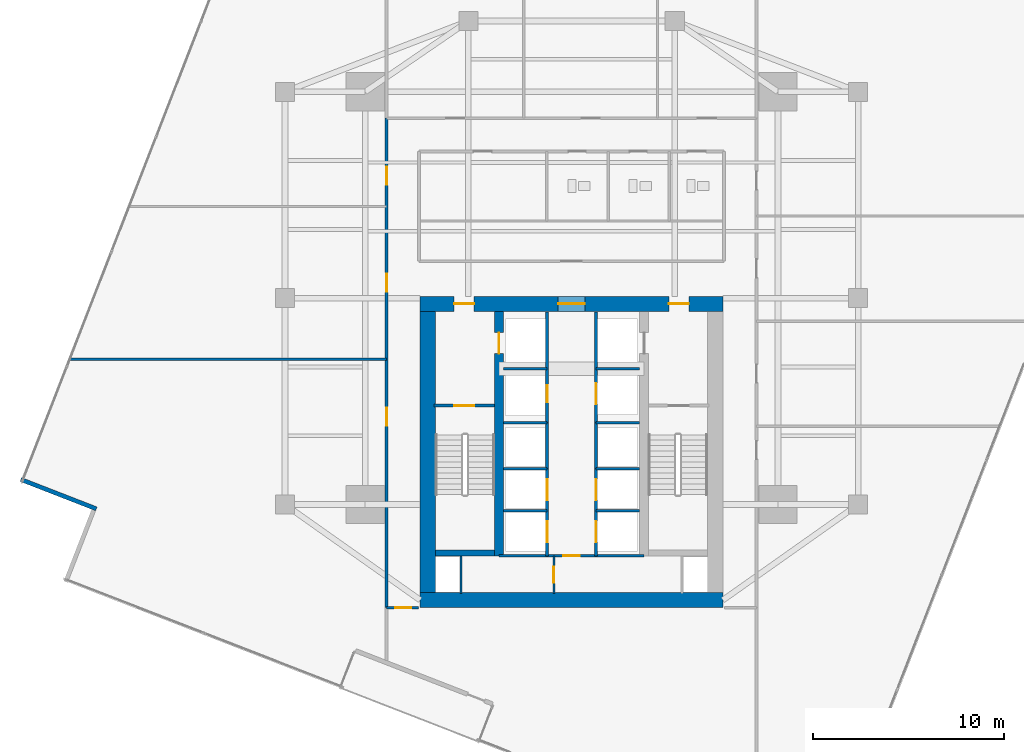
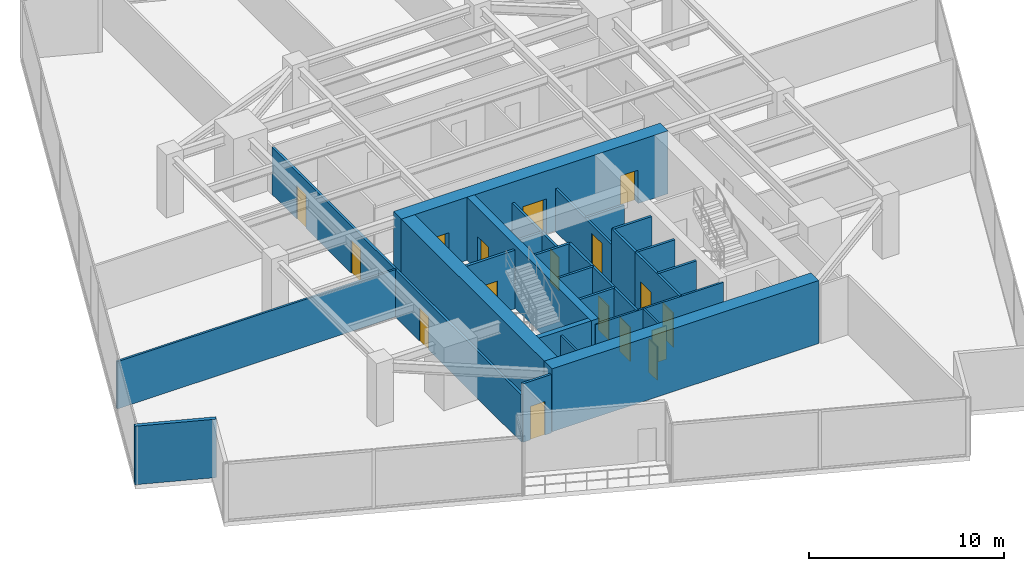
# One storey, part 22 of 26: 27 walls, 17 doors, 17 openings.
"""IFC4 building model written with IfcOpenShell, lengths in metres."""

from ifc_helpers import new_model, si_unit, direction, frame, frame_2d, origin, place, context, subcontext, project, spatial, rectangle, extrude, material, layer, layer_set, type_object, element, fill, save


model = new_model("IFC4")

# Units and contexts
model_context = context("Model", 3, precision=1e-05, world=origin(), true_north=direction((0.0, 1.0)))
body_context = subcontext(model_context, "Body", "Model", "MODEL_VIEW")
ifc_project = project(units=[si_unit("LENGTHUNIT", "METRE"), si_unit("AREAUNIT", "SQUARE_METRE"), si_unit("VOLUMEUNIT", "CUBIC_METRE"), si_unit("PLANEANGLEUNIT", "RADIAN"), si_unit("MASSUNIT", "GRAM", prefix="KILO")], contexts=[model_context])

# Site, building, storey
site_placement = place(None, origin())
site = spatial("IfcSite", under=ifc_project, at=site_placement, CompositionType="ELEMENT")
building_placement = place(site_placement, origin())
building = spatial("IfcBuilding", under=site, at=building_placement, Name="Krantzveldt Concourse Tower", CompositionType="ELEMENT")
storey_placement = place(building_placement, frame((0.0, 0.0, 133.5)))
storey = spatial("IfcBuildingStorey", under=building, at=storey_placement, Name="L32", CompositionType="ELEMENT", Elevation=133.5)

# Wall
ifc_material_1 = material(Name="Anodised aluminium 6063-T6", Category="aluminium")
ifc_layer_1 = layer(ifc_material_1, 0.219970703125, Name="Anodised aluminium 6063-T6", Category="aluminium")
ifc_layer_set_1 = layer_set([ifc_layer_1], Name="Anodised aluminium 6063-T6 (WL-EXT-NOTCH220)")
wall_type_1 = type_object("IfcWallType", Name="WL-EXT-NOTCH220", PredefinedType="ELEMENTEDWALL", material=ifc_layer_set_1)
wall_1_placement = place(storey_placement, frame((7.17626953125, 17.211669921875, 0.0), z_axis=(0.0, 0.0, 1.0), x_axis=(0.932003592198, -0.362449036596, 0.0)))
element("IfcWall", 1, at=wall_1_placement, inside=storey, type_object=wall_type_1, Name="EW-L32-NCH02", PredefinedType="ELEMENTEDWALL", context=body_context, shape_type="SweptSolid", body=[
    extrude(rectangle(XDim=4.244873046875, YDim=0.219970703125, at=frame_2d((2.12255859375, 0.0))), origin(), (0.0, 0.0, 1.0), 3.669921875),
])

# Wall, opening, door
ifc_material_2 = material(Name="Fire-rated gypsum plasterboard on steel stud", Category="steel")
ifc_layer_2 = layer(ifc_material_2, 0.1201171875, Name="Fire-rated gypsum plasterboard on steel stud", Category="steel")
ifc_layer_set_2 = layer_set([ifc_layer_2], Name="Fire-rated gypsum plasterboard on steel stud (WL-PART-120)")
wall_type_2 = type_object("IfcWallType", Name="WL-PART-120", PredefinedType="PARTITIONING", material=ifc_layer_set_2)
wall_2_placement = place(storey_placement, frame((32.2099609375, 13.219970703125, 0.0), z_axis=(0.0, 0.0, 1.0), x_axis=(1.0, 0.0, 0.0)))
wall_2 = element("IfcWall", 2, at=wall_2_placement, inside=storey, type_object=wall_type_2, Name="WP-L32-CS2H", PredefinedType="PARTITIONING", context=body_context, shape_type="SweptSolid", body=[
    extrude(rectangle(XDim=7.580078125, YDim=0.1201171875, at=frame_2d((3.7900390625, 0.0))), origin(), (0.0, 0.0, 1.0), 3.669921875),
])
opening_1_placement = place(wall_2_placement, frame((3.364990234375, 0.0, 0.0)))
opening_1 = element("IfcOpeningElement", 3, at=opening_1_placement, cuts=wall_2, Name="Opening D-IN085", PredefinedType="OPENING", context=body_context, shape_type="SweptSolid", body=[
    extrude(rectangle(XDim=0.85009765625, YDim=2.10009765625, at=frame_2d((0.425048828125, 1.050048828125))), frame((0.0, 0.070068359375, 0.0), z_axis=(0.0, -1.0, 0.0), x_axis=(1.0, 0.0, 0.0)), (0.0, 0.0, 1.0), 0.14013671875),
])
ifc_material_3 = material(Name="Hardwood timber", Category="wood")
door_type_1 = type_object("IfcDoorType", Name="DR-INT-850", OperationType="SINGLE_SWING_LEFT", PredefinedType="DOOR", material=ifc_material_3)
door_1_placement = place(opening_1_placement, origin())
door_1 = element("IfcDoor", 4, at=door_1_placement, inside=storey, type_object=door_type_1, Name="DR-L32-LLBS", OperationType="SINGLE_SWING_RIGHT", OverallHeight=2.10009765625, OverallWidth=0.85009765625, PredefinedType="DOOR", context=body_context, shape_type="SweptSolid", body=[
    extrude(rectangle(XDim=0.85009765625, YDim=2.10009765625, at=frame_2d((0.425048828125, 1.050048828125))), frame((0.0, 0.02490234375, 0.0), z_axis=(0.0, -1.0, 0.0), x_axis=(1.0, 0.0, 0.0)), (0.0, 0.0, 1.0), 0.050048828125),
])
fill(opening_1, door_1)

wall_3_placement = place(storey_placement, frame((35.080078125, 11.25, 0.0), z_axis=(0.0, 0.0, 1.0), x_axis=(0.0, 1.0, 0.0)))
wall_3 = element("IfcWall", 5, at=wall_3_placement, inside=storey, type_object=wall_type_2, Name="WP-L32-CSA-V", PredefinedType="PARTITIONING", context=body_context, shape_type="SweptSolid", body=[
    extrude(rectangle(XDim=1.969970703125, YDim=0.1201171875, at=frame_2d((0.98486328125, 0.0))), origin(), (0.0, 0.0, 1.0), 3.669921875),
])
opening_2_placement = place(wall_3_placement, frame((0.544921875, 0.0, 0.0)))
opening_2 = element("IfcOpeningElement", 6, at=opening_2_placement, cuts=wall_3, Name="Opening D-IN085", PredefinedType="OPENING", context=body_context, shape_type="SweptSolid", body=[
    extrude(rectangle(XDim=0.85009765625, YDim=2.10009765625, at=frame_2d((0.425048828125, 1.050048828125))), frame((0.0, 0.070068359375, 0.0), z_axis=(0.0, -1.0, 0.0), x_axis=(1.0, 0.0, 0.0)), (0.0, 0.0, 1.0), 0.14013671875),
])
door_2_placement = place(opening_2_placement, origin())
door_2 = element("IfcDoor", 7, at=door_2_placement, inside=storey, type_object=door_type_1, Name="DR-L32-CSA1", OperationType="SINGLE_SWING_LEFT", OverallHeight=2.10009765625, OverallWidth=0.85009765625, PredefinedType="DOOR", context=body_context, shape_type="SweptSolid", body=[
    extrude(rectangle(XDim=0.85009765625, YDim=2.10009765625, at=frame_2d((0.425048828125, 1.050048828125))), frame((0.0, 0.02490234375, 0.0), z_axis=(0.0, -1.0, 0.0), x_axis=(1.0, 0.0, 0.0)), (0.0, 0.0, 1.0), 0.050048828125),
])
fill(opening_2, door_2)

# Wall
wall_4_placement = place(storey_placement, frame((9.7451171875, 23.5, 0.0), z_axis=(0.0, 0.0, 1.0), x_axis=(1.0, 0.0, 0.0)))
element("IfcWall", 8, at=wall_4_placement, inside=storey, type_object=wall_type_2, Name="WP-L32-WD1", PredefinedType="PARTITIONING", context=body_context, shape_type="SweptSolid", body=[
    extrude(rectangle(XDim=16.574951171875, YDim=0.1201171875, at=frame_2d((8.28759765625, 0.0))), origin(), (0.0, 0.0, 1.0), 2.969970703125),
])

# Wall, openings, doors
ifc_layer_3 = layer(ifc_material_2, 0.139892578125, Name="Fire-rated gypsum plasterboard on steel stud", Category="steel")
ifc_layer_set_3 = layer_set([ifc_layer_3], Name="Fire-rated gypsum plasterboard on steel stud (WL-PART-140)")
wall_type_3 = type_object("IfcWallType", Name="WL-PART-140", PredefinedType="PARTITIONING", material=ifc_layer_set_3)
wall_5_placement = place(storey_placement, frame((26.320068359375, 10.5, 0.0), z_axis=(0.0, 0.0, 1.0), x_axis=(0.0, 1.0, 0.0)))
wall_5 = element("IfcWall", 9, at=wall_5_placement, inside=storey, type_object=wall_type_3, Name="WP-L32-CWEST", PredefinedType="PARTITIONING", context=body_context, shape_type="SweptSolid", body=[
    extrude(rectangle(XDim=25.6201171875, YDim=0.139892578125, at=frame_2d((12.81005859375, 0.0))), origin(), (0.0, 0.0, 1.0), 2.969970703125),
])
opening_3_placement = place(wall_5_placement, frame((9.52490234375, 0.0, 0.0)))
opening_3 = element("IfcOpeningElement", 10, at=opening_3_placement, cuts=wall_5, Name="Opening D-IN095", PredefinedType="OPENING", context=body_context, shape_type="SweptSolid", body=[
    extrude(rectangle(XDim=0.949951171875, YDim=2.10009765625, at=frame_2d((0.47509765625, 1.050048828125))), frame((0.0, 0.080078125, 0.0), z_axis=(0.0, -1.0, 0.0), x_axis=(1.0, 0.0, 0.0)), (0.0, 0.0, 1.0), 0.159912109375),
])
opening_4_placement = place(wall_5_placement, frame((16.52490234375, 0.0, 0.0)))
opening_4 = element("IfcOpeningElement", 11, at=opening_4_placement, cuts=wall_5, Name="Opening D-IN095", PredefinedType="OPENING", context=body_context, shape_type="SweptSolid", body=[
    extrude(rectangle(XDim=0.949951171875, YDim=2.10009765625, at=frame_2d((0.47509765625, 1.050048828125))), frame((0.0, 0.080078125, 0.0), z_axis=(0.0, -1.0, 0.0), x_axis=(1.0, 0.0, 0.0)), (0.0, 0.0, 1.0), 0.159912109375),
])
opening_5_placement = place(wall_5_placement, frame((22.125, 0.0, 0.0)))
opening_5 = element("IfcOpeningElement", 12, at=opening_5_placement, cuts=wall_5, Name="Opening D-IN095", PredefinedType="OPENING", context=body_context, shape_type="SweptSolid", body=[
    extrude(rectangle(XDim=0.949951171875, YDim=2.10009765625, at=frame_2d((0.47509765625, 1.050048828125))), frame((0.0, 0.080078125, 0.0), z_axis=(0.0, -1.0, 0.0), x_axis=(1.0, 0.0, 0.0)), (0.0, 0.0, 1.0), 0.159912109375),
])
door_type_2 = type_object("IfcDoorType", Name="DR-INT-950", OperationType="SINGLE_SWING_LEFT", PredefinedType="DOOR", material=ifc_material_3)
door_3_placement = place(opening_3_placement, origin())
door_3 = element("IfcDoor", 13, at=door_3_placement, inside=storey, type_object=door_type_2, Name="DR-L32-WR1", OperationType="SINGLE_SWING_LEFT", OverallHeight=2.10009765625, OverallWidth=0.949951171875, PredefinedType="DOOR", context=body_context, shape_type="SweptSolid", body=[
    extrude(rectangle(XDim=0.949951171875, YDim=2.10009765625, at=frame_2d((0.47509765625, 1.050048828125))), frame((0.0, 0.02490234375, 0.0), z_axis=(0.0, -1.0, 0.0), x_axis=(1.0, 0.0, 0.0)), (0.0, 0.0, 1.0), 0.050048828125),
])
fill(opening_3, door_3)
door_4_placement = place(opening_4_placement, origin())
door_4 = element("IfcDoor", 14, at=door_4_placement, inside=storey, type_object=door_type_2, Name="DR-L32-WR2", OperationType="SINGLE_SWING_LEFT", OverallHeight=2.10009765625, OverallWidth=0.949951171875, PredefinedType="DOOR", context=body_context, shape_type="SweptSolid", body=[
    extrude(rectangle(XDim=0.949951171875, YDim=2.10009765625, at=frame_2d((0.47509765625, 1.050048828125))), frame((0.0, 0.02490234375, 0.0), z_axis=(0.0, -1.0, 0.0), x_axis=(1.0, 0.0, 0.0)), (0.0, 0.0, 1.0), 0.050048828125),
])
fill(opening_4, door_4)
door_5_placement = place(opening_5_placement, origin())
door_5 = element("IfcDoor", 15, at=door_5_placement, inside=storey, type_object=door_type_2, Name="DR-L32-WR3", OperationType="SINGLE_SWING_LEFT", OverallHeight=2.10009765625, OverallWidth=0.949951171875, PredefinedType="DOOR", context=body_context, shape_type="SweptSolid", body=[
    extrude(rectangle(XDim=0.949951171875, YDim=2.10009765625, at=frame_2d((0.47509765625, 1.050048828125))), frame((0.0, 0.02490234375, 0.0), z_axis=(0.0, -1.0, 0.0), x_axis=(1.0, 0.0, 0.0)), (0.0, 0.0, 1.0), 0.050048828125),
])
fill(opening_5, door_5)

# Wall, opening, door
wall_6_placement = place(storey_placement, frame((26.320068359375, 10.5, 0.0), z_axis=(0.0, 0.0, 1.0), x_axis=(1.0, 0.0, 0.0)))
wall_6 = element("IfcWall", 16, at=wall_6_placement, inside=storey, type_object=wall_type_3, Name="WP-L32-CWBOT", PredefinedType="PARTITIONING", context=body_context, shape_type="SweptSolid", body=[
    extrude(rectangle(XDim=1.679931640625, YDim=0.139892578125, at=frame_2d((0.83984375, 0.0))), origin(), (0.0, 0.0, 1.0), 3.669921875),
])
opening_6_placement = place(wall_6_placement, frame((0.445068359375, 0.0, 0.0)))
opening_6 = element("IfcOpeningElement", 17, at=opening_6_placement, cuts=wall_6, Name="Opening D-IN085", PredefinedType="OPENING", context=body_context, shape_type="SweptSolid", body=[
    extrude(rectangle(XDim=0.85009765625, YDim=2.10009765625, at=frame_2d((0.425048828125, 1.050048828125))), frame((0.0, 0.080078125, 0.0), z_axis=(0.0, -1.0, 0.0), x_axis=(1.0, 0.0, 0.0)), (0.0, 0.0, 1.0), 0.159912109375),
])
door_6_placement = place(opening_6_placement, origin())
door_6 = element("IfcDoor", 18, at=door_6_placement, inside=storey, type_object=door_type_1, Name="DR-L32-SR1", OperationType="SINGLE_SWING_LEFT", OverallHeight=2.10009765625, OverallWidth=0.85009765625, PredefinedType="DOOR", context=body_context, shape_type="SweptSolid", body=[
    extrude(rectangle(XDim=0.85009765625, YDim=2.10009765625, at=frame_2d((0.425048828125, 1.050048828125))), frame((0.0, 0.02490234375, 0.0), z_axis=(0.0, -1.0, 0.0), x_axis=(1.0, 0.0, 0.0)), (0.0, 0.0, 1.0), 0.050048828125),
])
fill(opening_6, door_6)

ifc_layer_4 = layer(ifc_material_2, 0.139892578125, Name="Fire-rated gypsum plasterboard on steel stud", Category="steel")
ifc_layer_set_4 = layer_set([ifc_layer_4], Name="Fire-rated gypsum plasterboard on steel stud (WL-PART-FR140)")
wall_type_4 = type_object("IfcWallType", Name="WL-PART-FR140", PredefinedType="PARTITIONING", material=ifc_layer_set_4)
wall_7_placement = place(storey_placement, frame((34.719970703125, 20.199951171875, 0.0), z_axis=(0.0, 0.0, 1.0), x_axis=(0.0, 1.0, 0.0)))
wall_7 = element("IfcWall", 19, at=wall_7_placement, inside=storey, type_object=wall_type_4, Name="WP-L32-SHNW", PredefinedType="PARTITIONING", context=body_context, shape_type="SweptSolid", body=[
    extrude(rectangle(XDim=5.780029296875, YDim=0.139892578125, at=frame_2d((2.89013671875, 0.0))), origin(), (0.0, 0.0, 1.0), 2.669921875),
])
opening_7_placement = place(wall_7_placement, frame((1.050048828125, 0.0, 0.0)))
opening_7 = element("IfcOpeningElement", 20, at=opening_7_placement, cuts=wall_7, Name="Opening D-FD090", PredefinedType="OPENING", context=body_context, shape_type="SweptSolid", body=[
    extrude(rectangle(XDim=0.89990234375, YDim=2.10009765625, at=frame_2d((0.449951171875, 1.050048828125))), frame((0.0, 0.080078125, 0.0), z_axis=(0.0, -1.0, 0.0), x_axis=(1.0, 0.0, 0.0)), (0.0, 0.0, 1.0), 0.159912109375),
])
door_type_3 = type_object("IfcDoorType", Name="DR-FD60-900", OperationType="SINGLE_SWING_LEFT", PredefinedType="DOOR", material=ifc_material_3)
door_7_placement = place(opening_7_placement, origin())
door_7 = element("IfcDoor", 21, at=door_7_placement, inside=storey, type_object=door_type_3, Name="Electrical Riser Access Door L32", OperationType="SINGLE_SWING_LEFT", OverallHeight=2.10009765625, OverallWidth=0.89990234375, PredefinedType="DOOR", context=body_context, shape_type="SweptSolid", body=[
    extrude(rectangle(XDim=0.89990234375, YDim=2.10009765625, at=frame_2d((0.449951171875, 1.050048828125))), frame((0.0, 0.02490234375, 0.0), z_axis=(0.0, -1.0, 0.0), x_axis=(1.0, 0.0, 0.0)), (0.0, 0.0, 1.0), 0.050048828125),
])
fill(opening_7, door_7)

wall_8_placement = place(storey_placement, frame((37.280029296875, 20.199951171875, 0.0), z_axis=(0.0, 0.0, 1.0), x_axis=(0.0, 1.0, 0.0)))
wall_8 = element("IfcWall", 22, at=wall_8_placement, inside=storey, type_object=wall_type_4, Name="WP-L32-SHNE", PredefinedType="PARTITIONING", context=body_context, shape_type="SweptSolid", body=[
    extrude(rectangle(XDim=5.780029296875, YDim=0.139892578125, at=frame_2d((2.89013671875, 0.0))), origin(), (0.0, 0.0, 1.0), 2.669921875),
])
opening_8_placement = place(wall_8_placement, frame((0.949951171875, 0.0, 0.0)))
opening_8 = element("IfcOpeningElement", 23, at=opening_8_placement, cuts=wall_8, Name="Opening LD", PredefinedType="OPENING", context=body_context, shape_type="SweptSolid", body=[
    extrude(rectangle(XDim=1.10009765625, YDim=2.14990234375, at=frame_2d((0.550048828125, 1.074951171875))), frame((0.0, 0.080078125, 0.0), z_axis=(0.0, -1.0, 0.0), x_axis=(1.0, 0.0, 0.0)), (0.0, 0.0, 1.0), 0.159912109375),
])
ifc_material_4 = material(Name="Stainless steel 316L", Category="steel")
door_type_4 = type_object("IfcDoorType", Name="DR-SLIDE-LD1100", OperationType="DOUBLE_DOOR_SLIDING", PredefinedType="DOOR", material=ifc_material_4)
door_8_placement = place(opening_8_placement, origin())
door_8 = element("IfcDoor", 24, at=door_8_placement, inside=storey, type_object=door_type_4, Name="LD-L32-GL1", OperationType="DOUBLE_DOOR_SLIDING", OverallHeight=2.14990234375, OverallWidth=1.10009765625, PredefinedType="DOOR", context=body_context, shape_type="SweptSolid", body=[
    extrude(rectangle(XDim=1.10009765625, YDim=2.14990234375, at=frame_2d((0.550048828125, 1.074951171875))), frame((0.0, 0.02490234375, 0.0), z_axis=(0.0, -1.0, 0.0), x_axis=(1.0, 0.0, 0.0)), (0.0, 0.0, 1.0), 0.050048828125),
])
fill(opening_8, door_8)

# Walls
for number, where, z_axis, x_axis, name in (
    (25, (32.449951171875, 23.0, 0.0), (0.0, 0.0, 1.0), (1.0, 0.0, 0.0), "WP-L32-RISH"),
    (26, (37.280029296875, 23.0, 0.0), (0.0, 0.0, 1.0), (1.0, 0.0, 0.0), "WP-L32-GLH"),
):
    element("IfcWall", number, at=place(storey_placement, frame(where, z_axis=z_axis, x_axis=x_axis)), inside=storey, type_object=wall_type_4, Name=name, PredefinedType="PARTITIONING", context=body_context, shape_type="SweptSolid", body=[
        extrude(rectangle(XDim=2.27001953125, YDim=0.139892578125, at=frame_2d((1.135009765625, 0.0))), origin(), (0.0, 0.0, 1.0), 2.669921875),
    ])
for number, where, z_axis, x_axis, name in (
    (27, (34.719970703125, 17.780029296875, 0.0), (0.0, 0.0, 1.0), (0.0, 1.0, 0.0), "WP-L32-SHNW2"),
    (28, (37.280029296875, 17.780029296875, 0.0), (0.0, 0.0, 1.0), (0.0, 1.0, 0.0), "WP-L32-SHNE2"),
):
    element("IfcWall", number, at=place(storey_placement, frame(where, z_axis=z_axis, x_axis=x_axis)), inside=storey, type_object=wall_type_4, Name=name, PredefinedType="PARTITIONING", context=body_context, shape_type="SweptSolid", body=[
        extrude(rectangle(XDim=2.419921875, YDim=0.139892578125, at=frame_2d((1.2099609375, 0.0))), origin(), (0.0, 0.0, 1.0), 3.669921875),
    ])
for number, where, z_axis, x_axis, name in (
    (29, (32.449951171875, 17.780029296875, 0.0), (0.0, 0.0, 1.0), (1.0, 0.0, 0.0), "WP-L32-DIVW2"),
    (30, (32.449951171875, 20.179931640625, 0.0), (0.0, 0.0, 1.0), (1.0, 0.0, 0.0), "WP-L32-DIVW3"),
    (31, (37.280029296875, 17.780029296875, 0.0), (0.0, 0.0, 1.0), (1.0, 0.0, 0.0), "WP-L32-DIVE2"),
    (32, (37.280029296875, 20.179931640625, 0.0), (0.0, 0.0, 1.0), (1.0, 0.0, 0.0), "WP-L32-DIVE3"),
):
    element("IfcWall", number, at=place(storey_placement, frame(where, z_axis=z_axis, x_axis=x_axis)), inside=storey, type_object=wall_type_4, Name=name, PredefinedType="PARTITIONING", context=body_context, shape_type="SweptSolid", body=[
        extrude(rectangle(XDim=2.27001953125, YDim=0.139892578125, at=frame_2d((1.135009765625, 0.0))), origin(), (0.0, 0.0, 1.0), 3.669921875),
    ])

# Wall, openings, doors
wall_9_placement = place(storey_placement, frame((34.719970703125, 13.219970703125, 0.0), z_axis=(0.0, 0.0, 1.0), x_axis=(0.0, 1.0, 0.0)))
wall_9 = element("IfcWall", 33, at=wall_9_placement, inside=storey, type_object=wall_type_4, Name="WP-L32-SHSW", PredefinedType="PARTITIONING", context=body_context, shape_type="SweptSolid", body=[
    extrude(rectangle(XDim=4.56005859375, YDim=0.139892578125, at=frame_2d((2.280029296875, 0.0))), origin(), (0.0, 0.0, 1.0), 3.669921875),
])
opening_9_placement = place(wall_9_placement, frame((0.7099609375, 0.0, 0.0)))
opening_9 = element("IfcOpeningElement", 34, at=opening_9_placement, cuts=wall_9, Name="Opening LD", PredefinedType="OPENING", context=body_context, shape_type="SweptSolid", body=[
    extrude(rectangle(XDim=1.10009765625, YDim=2.14990234375, at=frame_2d((0.550048828125, 1.074951171875))), frame((0.0, 0.080078125, 0.0), z_axis=(0.0, -1.0, 0.0), x_axis=(1.0, 0.0, 0.0)), (0.0, 0.0, 1.0), 0.159912109375),
])
opening_10_placement = place(wall_9_placement, frame((2.909912109375, 0.0, 0.0)))
opening_10 = element("IfcOpeningElement", 35, at=opening_10_placement, cuts=wall_9, Name="Opening LD", PredefinedType="OPENING", context=body_context, shape_type="SweptSolid", body=[
    extrude(rectangle(XDim=1.10009765625, YDim=2.14990234375, at=frame_2d((0.550048828125, 1.074951171875))), frame((0.0, 0.080078125, 0.0), z_axis=(0.0, -1.0, 0.0), x_axis=(1.0, 0.0, 0.0)), (0.0, 0.0, 1.0), 0.159912109375),
])
door_9_placement = place(opening_9_placement, origin())
door_9 = element("IfcDoor", 36, at=door_9_placement, inside=storey, type_object=door_type_4, Name="LD-L32-PL1", OperationType="DOUBLE_DOOR_SLIDING", OverallHeight=2.14990234375, OverallWidth=1.10009765625, PredefinedType="DOOR", context=body_context, shape_type="SweptSolid", body=[
    extrude(rectangle(XDim=1.10009765625, YDim=2.14990234375, at=frame_2d((0.550048828125, 1.074951171875))), frame((0.0, 0.02490234375, 0.0), z_axis=(0.0, -1.0, 0.0), x_axis=(1.0, 0.0, 0.0)), (0.0, 0.0, 1.0), 0.050048828125),
])
fill(opening_9, door_9)
door_10_placement = place(opening_10_placement, origin())
door_10 = element("IfcDoor", 37, at=door_10_placement, inside=storey, type_object=door_type_4, Name="LD-L32-PL2", OperationType="DOUBLE_DOOR_SLIDING", OverallHeight=2.14990234375, OverallWidth=1.10009765625, PredefinedType="DOOR", context=body_context, shape_type="SweptSolid", body=[
    extrude(rectangle(XDim=1.10009765625, YDim=2.14990234375, at=frame_2d((0.550048828125, 1.074951171875))), frame((0.0, 0.02490234375, 0.0), z_axis=(0.0, -1.0, 0.0), x_axis=(1.0, 0.0, 0.0)), (0.0, 0.0, 1.0), 0.050048828125),
])
fill(opening_10, door_10)

# Wall
wall_10_placement = place(storey_placement, frame((32.449951171875, 15.580078125, 0.0), z_axis=(0.0, 0.0, 1.0), x_axis=(1.0, 0.0, 0.0)))
element("IfcWall", 38, at=wall_10_placement, inside=storey, type_object=wall_type_4, Name="WP-L32-DIVW1", PredefinedType="PARTITIONING", context=body_context, shape_type="SweptSolid", body=[
    extrude(rectangle(XDim=2.27001953125, YDim=0.139892578125, at=frame_2d((1.135009765625, 0.0))), origin(), (0.0, 0.0, 1.0), 3.669921875),
])

# Wall, openings, doors
wall_11_placement = place(storey_placement, frame((37.280029296875, 13.219970703125, 0.0), z_axis=(0.0, 0.0, 1.0), x_axis=(0.0, 1.0, 0.0)))
wall_11 = element("IfcWall", 39, at=wall_11_placement, inside=storey, type_object=wall_type_4, Name="WP-L32-SHSE", PredefinedType="PARTITIONING", context=body_context, shape_type="SweptSolid", body=[
    extrude(rectangle(XDim=4.56005859375, YDim=0.139892578125, at=frame_2d((2.280029296875, 0.0))), origin(), (0.0, 0.0, 1.0), 3.669921875),
])
opening_11_placement = place(wall_11_placement, frame((0.7099609375, 0.0, 0.0)))
opening_11 = element("IfcOpeningElement", 40, at=opening_11_placement, cuts=wall_11, Name="Opening LD", PredefinedType="OPENING", context=body_context, shape_type="SweptSolid", body=[
    extrude(rectangle(XDim=1.10009765625, YDim=2.14990234375, at=frame_2d((0.550048828125, 1.074951171875))), frame((0.0, 0.080078125, 0.0), z_axis=(0.0, -1.0, 0.0), x_axis=(1.0, 0.0, 0.0)), (0.0, 0.0, 1.0), 0.159912109375),
])
opening_12_placement = place(wall_11_placement, frame((2.909912109375, 0.0, 0.0)))
opening_12 = element("IfcOpeningElement", 41, at=opening_12_placement, cuts=wall_11, Name="Opening LD", PredefinedType="OPENING", context=body_context, shape_type="SweptSolid", body=[
    extrude(rectangle(XDim=1.10009765625, YDim=2.14990234375, at=frame_2d((0.550048828125, 1.074951171875))), frame((0.0, 0.080078125, 0.0), z_axis=(0.0, -1.0, 0.0), x_axis=(1.0, 0.0, 0.0)), (0.0, 0.0, 1.0), 0.159912109375),
])
door_11_placement = place(opening_11_placement, origin())
door_11 = element("IfcDoor", 42, at=door_11_placement, inside=storey, type_object=door_type_4, Name="LD-L32-PM1", OperationType="DOUBLE_DOOR_SLIDING", OverallHeight=2.14990234375, OverallWidth=1.10009765625, PredefinedType="DOOR", context=body_context, shape_type="SweptSolid", body=[
    extrude(rectangle(XDim=1.10009765625, YDim=2.14990234375, at=frame_2d((0.550048828125, 1.074951171875))), frame((0.0, 0.02490234375, 0.0), z_axis=(0.0, -1.0, 0.0), x_axis=(1.0, 0.0, 0.0)), (0.0, 0.0, 1.0), 0.050048828125),
])
fill(opening_11, door_11)
door_12_placement = place(opening_12_placement, origin())
door_12 = element("IfcDoor", 43, at=door_12_placement, inside=storey, type_object=door_type_4, Name="LD-L32-PM2", OperationType="DOUBLE_DOOR_SLIDING", OverallHeight=2.14990234375, OverallWidth=1.10009765625, PredefinedType="DOOR", context=body_context, shape_type="SweptSolid", body=[
    extrude(rectangle(XDim=1.10009765625, YDim=2.14990234375, at=frame_2d((0.550048828125, 1.074951171875))), frame((0.0, 0.02490234375, 0.0), z_axis=(0.0, -1.0, 0.0), x_axis=(1.0, 0.0, 0.0)), (0.0, 0.0, 1.0), 0.050048828125),
])
fill(opening_12, door_12)

# Walls
wall_12_placement = place(storey_placement, frame((37.280029296875, 15.580078125, 0.0), z_axis=(0.0, 0.0, 1.0), x_axis=(1.0, 0.0, 0.0)))
element("IfcWall", 44, at=wall_12_placement, inside=storey, type_object=wall_type_4, Name="WP-L32-DIVE1", PredefinedType="PARTITIONING", context=body_context, shape_type="SweptSolid", body=[
    extrude(rectangle(XDim=2.27001953125, YDim=0.139892578125, at=frame_2d((1.135009765625, 0.0))), origin(), (0.0, 0.0, 1.0), 3.669921875),
])
wall_13_placement = place(storey_placement, frame((30.219970703125, 11.25, 0.0), z_axis=(0.0, 0.0, 1.0), x_axis=(0.0, 1.0, 0.0)))
element("IfcWall", 45, at=wall_13_placement, inside=storey, type_object=wall_type_4, Name="WP-L32-RSW", PredefinedType="PARTITIONING", context=body_context, shape_type="SweptSolid", body=[
    extrude(rectangle(XDim=1.969970703125, YDim=0.1201171875, at=frame_2d((0.98486328125, 0.0))), origin(), (0.0, 0.0, 1.0), 3.669921875),
])

# Wall, opening, door
ifc_layer_5 = layer(ifc_material_2, 0.159912109375, Name="Fire-rated gypsum plasterboard on steel stud", Category="steel")
ifc_layer_set_5 = layer_set([ifc_layer_5], Name="Fire-rated gypsum plasterboard on steel stud (WL-PART-FR160)")
wall_type_5 = type_object("IfcWallType", Name="WL-PART-FR160", PredefinedType="PARTITIONING", material=ifc_layer_set_5)
wall_14_placement = place(storey_placement, frame((28.800048828125, 21.080078125, 0.0), z_axis=(0.0, 0.0, 1.0), x_axis=(1.0, 0.0, 0.0)))
wall_14 = element("IfcWall", 46, at=wall_14_placement, inside=storey, type_object=wall_type_5, Name="WP-L32-ST1", PredefinedType="PARTITIONING", context=body_context, shape_type="SweptSolid", body=[
    extrude(rectangle(XDim=3.159912109375, YDim=0.159912109375, at=frame_2d((1.580078125, 0.0))), origin(), (0.0, 0.0, 1.0), 3.669921875),
])
opening_13_placement = place(wall_14_placement, frame((1.054931640625, 0.0, 0.0)))
opening_13 = element("IfcOpeningElement", 47, at=opening_13_placement, cuts=wall_14, Name="Opening D-FD105", PredefinedType="OPENING", context=body_context, shape_type="SweptSolid", body=[
    extrude(rectangle(XDim=1.050048828125, YDim=2.10009765625, at=frame_2d((0.52490234375, 1.050048828125))), frame((0.0, 0.08984375, 0.0), z_axis=(0.0, -1.0, 0.0), x_axis=(1.0, 0.0, 0.0)), (0.0, 0.0, 1.0), 0.179931640625),
])
ifc_material_5 = material(Name="Galvanised steel", Category="steel")
door_type_5 = type_object("IfcDoorType", Name="DR-FD120-1050", OperationType="SINGLE_SWING_LEFT", PredefinedType="DOOR", material=ifc_material_5)
door_13_placement = place(opening_13_placement, origin())
door_13 = element("IfcDoor", 48, at=door_13_placement, inside=storey, type_object=door_type_5, Name="DR-L32-ST1", OperationType="SINGLE_SWING_RIGHT", OverallHeight=2.10009765625, OverallWidth=1.050048828125, PredefinedType="DOOR", context=body_context, shape_type="SweptSolid", body=[
    extrude(rectangle(XDim=1.050048828125, YDim=2.10009765625, at=frame_2d((0.52490234375, 1.050048828125))), frame((0.0, 0.02490234375, 0.0), z_axis=(0.0, -1.0, 0.0), x_axis=(1.0, 0.0, 0.0)), (0.0, 0.0, 1.0), 0.050048828125),
])
fill(opening_13, door_13)

# Wall
ifc_material_6 = material(Name="Concrete C50/60", Category="concrete")
ifc_layer_6 = layer(ifc_material_6, 0.300048828125, Name="Concrete C50/60", Category="concrete")
ifc_layer_set_6 = layer_set([ifc_layer_6], Name="Concrete C50/60 (WL-SHEAR-300)")
wall_type_6 = type_object("IfcWallType", Name="WL-SHEAR-300", PredefinedType="SHEAR", material=ifc_layer_set_6)
wall_15_placement = place(storey_placement, frame((28.8798828125, 13.3701171875, 0.0), z_axis=(0.0, 0.0, 1.0), x_axis=(1.0, 0.0, 0.0)))
element("IfcWall", 49, at=wall_15_placement, inside=storey, type_object=wall_type_6, Name="CW-L32-ST1S", PredefinedType="SHEAR", context=body_context, shape_type="SweptSolid", body=[
    extrude(rectangle(XDim=3.10009765625, YDim=0.300048828125, at=frame_2d((1.550048828125, 0.0))), origin(), (0.0, 0.0, 1.0), 3.949951171875),
])

# Wall, opening, door
ifc_layer_7 = layer(ifc_material_6, 0.449951171875, Name="Concrete C50/60", Category="concrete")
ifc_layer_set_7 = layer_set([ifc_layer_7], Name="Concrete C50/60 (WL-SHEAR-450)")
wall_type_7 = type_object("IfcWallType", Name="WL-SHEAR-450", PredefinedType="SHEAR", material=ifc_layer_set_7)
wall_16_placement = place(storey_placement, frame((32.205078125, 13.219970703125, 0.0), z_axis=(0.0, 0.0, 1.0), x_axis=(0.0, 1.0, 0.0)))
wall_16 = element("IfcWall", 50, at=wall_16_placement, inside=storey, type_object=wall_type_7, Name="CW-L32-IW", PredefinedType="SHEAR", context=body_context, shape_type="SweptSolid", body=[
    extrude(rectangle(XDim=12.780029296875, YDim=0.449951171875, at=frame_2d((6.39013671875, 0.0))), origin(), (0.0, 0.0, 1.0), 3.949951171875),
])
opening_14_placement = place(wall_16_placement, frame((10.580078125, 0.0, 0.0)))
opening_14 = element("IfcOpeningElement", 51, at=opening_14_placement, cuts=wall_16, Name="Opening LD", PredefinedType="OPENING", context=body_context, shape_type="SweptSolid", body=[
    extrude(rectangle(XDim=1.10009765625, YDim=2.14990234375, at=frame_2d((0.550048828125, 1.074951171875))), frame((0.0, 0.23486328125, 0.0), z_axis=(0.0, -1.0, 0.0), x_axis=(1.0, 0.0, 0.0)), (0.0, 0.0, 1.0), 0.469970703125),
])
door_14_placement = place(opening_14_placement, origin())
door_14 = element("IfcDoor", 52, at=door_14_placement, inside=storey, type_object=door_type_4, Name="LD-L32-FL1", OperationType="DOUBLE_DOOR_SLIDING", OverallHeight=2.14990234375, OverallWidth=1.10009765625, PredefinedType="DOOR", context=body_context, shape_type="SweptSolid", body=[
    extrude(rectangle(XDim=1.10009765625, YDim=2.14990234375, at=frame_2d((0.550048828125, 1.074951171875))), frame((0.0, 0.02490234375, 0.0), z_axis=(0.0, -1.0, 0.0), x_axis=(1.0, 0.0, 0.0)), (0.0, 0.0, 1.0), 0.050048828125),
])
fill(opening_14, door_14)

# Wall
ifc_material_7 = material(Name="Concrete C60/75", Category="concrete")
ifc_layer_8 = layer(ifc_material_7, 0.800048828125, Name="Concrete C60/75", Category="concrete")
ifc_layer_set_8 = layer_set([ifc_layer_8], Name="Concrete C60/75 (WL-SHEAR-800)")
wall_type_8 = type_object("IfcWallType", Name="WL-SHEAR-800", PredefinedType="SHEAR", material=ifc_layer_set_8)
wall_17_placement = place(storey_placement, frame((28.080078125, 10.89990234375, 0.0), z_axis=(0.0, 0.0, 1.0), x_axis=(1.0, 0.0, 0.0)))
element("IfcWall", 53, at=wall_17_placement, inside=storey, type_object=wall_type_8, Name="CW-L32-S", PredefinedType="SHEAR", context=body_context, shape_type="SweptSolid", body=[
    extrude(rectangle(XDim=15.83984375, YDim=0.800048828125, at=frame_2d((7.919921875, 0.0))), origin(), (0.0, 0.0, 1.0), 3.949951171875),
])

# Wall, openings, doors
wall_18_placement = place(storey_placement, frame((28.080078125, 26.39990234375, 0.0), z_axis=(0.0, 0.0, 1.0), x_axis=(1.0, 0.0, 0.0)))
wall_18 = element("IfcWall", 54, at=wall_18_placement, inside=storey, type_object=wall_type_8, Name="CW-L32-N", PredefinedType="SHEAR", context=body_context, shape_type="SweptSolid", body=[
    extrude(rectangle(XDim=15.83984375, YDim=0.800048828125, at=frame_2d((7.919921875, 0.0))), origin(), (0.0, 0.0, 1.0), 3.949951171875),
])
opening_15_placement = place(wall_18_placement, frame((7.219970703125, 0.0, 0.0)))
opening_15 = element("IfcOpeningElement", 55, at=opening_15_placement, cuts=wall_18, Name="Opening D-DB140", PredefinedType="OPENING", context=body_context, shape_type="SweptSolid", body=[
    extrude(rectangle(XDim=1.39990234375, YDim=2.199951171875, at=frame_2d((0.699951171875, 1.10009765625))), frame((0.0, 0.41015625, 0.0), z_axis=(0.0, -1.0, 0.0), x_axis=(1.0, 0.0, 0.0)), (0.0, 0.0, 1.0), 0.820068359375),
])
opening_16_placement = place(wall_18_placement, frame((1.77490234375, 0.0, 0.0)))
opening_16 = element("IfcOpeningElement", 56, at=opening_16_placement, cuts=wall_18, Name="Opening D-FD105", PredefinedType="OPENING", context=body_context, shape_type="SweptSolid", body=[
    extrude(rectangle(XDim=1.050048828125, YDim=2.10009765625, at=frame_2d((0.52490234375, 1.050048828125))), frame((0.0, 0.41015625, 0.0), z_axis=(0.0, -1.0, 0.0), x_axis=(1.0, 0.0, 0.0)), (0.0, 0.0, 1.0), 0.820068359375),
])
opening_17_placement = place(wall_18_placement, frame((13.014892578125, 0.0, 0.0)))
opening_17 = element("IfcOpeningElement", 57, at=opening_17_placement, cuts=wall_18, Name="Opening D-FD105", PredefinedType="OPENING", context=body_context, shape_type="SweptSolid", body=[
    extrude(rectangle(XDim=1.050048828125, YDim=2.10009765625, at=frame_2d((0.52490234375, 1.050048828125))), frame((0.0, 0.41015625, 0.0), z_axis=(0.0, -1.0, 0.0), x_axis=(1.0, 0.0, 0.0)), (0.0, 0.0, 1.0), 0.820068359375),
])
door_type_6 = type_object("IfcDoorType", Name="DR-DBL-1400", OperationType="DOUBLE_DOOR_SINGLE_SWING", PredefinedType="DOOR", material=ifc_material_1)
door_15_placement = place(opening_15_placement, origin())
door_15 = element("IfcDoor", 58, at=door_15_placement, inside=storey, type_object=door_type_6, Name="DR-L32-LLB", OperationType="DOUBLE_DOOR_SINGLE_SWING", OverallHeight=2.199951171875, OverallWidth=1.39990234375, PredefinedType="DOOR", context=body_context, shape_type="SweptSolid", body=[
    extrude(rectangle(XDim=1.39990234375, YDim=2.199951171875, at=frame_2d((0.699951171875, 1.10009765625))), frame((0.0, 0.02490234375, 0.0), z_axis=(0.0, -1.0, 0.0), x_axis=(1.0, 0.0, 0.0)), (0.0, 0.0, 1.0), 0.050048828125),
])
fill(opening_15, door_15)
door_16_placement = place(opening_16_placement, origin())
door_16 = element("IfcDoor", 59, at=door_16_placement, inside=storey, type_object=door_type_5, Name="DR-L32-FFL1", OperationType="SINGLE_SWING_LEFT", OverallHeight=2.10009765625, OverallWidth=1.050048828125, PredefinedType="DOOR", context=body_context, shape_type="SweptSolid", body=[
    extrude(rectangle(XDim=1.050048828125, YDim=2.10009765625, at=frame_2d((0.52490234375, 1.050048828125))), frame((0.0, 0.02490234375, 0.0), z_axis=(0.0, -1.0, 0.0), x_axis=(1.0, 0.0, 0.0)), (0.0, 0.0, 1.0), 0.050048828125),
])
fill(opening_16, door_16)
door_17_placement = place(opening_17_placement, origin())
door_17 = element("IfcDoor", 60, at=door_17_placement, inside=storey, type_object=door_type_5, Name="DR-L32-FFL2", OperationType="SINGLE_SWING_RIGHT", OverallHeight=2.10009765625, OverallWidth=1.050048828125, PredefinedType="DOOR", context=body_context, shape_type="SweptSolid", body=[
    extrude(rectangle(XDim=1.050048828125, YDim=2.10009765625, at=frame_2d((0.52490234375, 1.050048828125))), frame((0.0, 0.02490234375, 0.0), z_axis=(0.0, -1.0, 0.0), x_axis=(1.0, 0.0, 0.0)), (0.0, 0.0, 1.0), 0.050048828125),
])
fill(opening_17, door_17)

# Wall
wall_19_placement = place(storey_placement, frame((28.47998046875, 11.300048828125, 0.0), z_axis=(0.0, 0.0, 1.0), x_axis=(0.0, 1.0, 0.0)))
element("IfcWall", 61, at=wall_19_placement, inside=storey, type_object=wall_type_8, Name="CW-L32-W", PredefinedType="SHEAR", context=body_context, shape_type="SweptSolid", body=[
    extrude(rectangle(XDim=14.699951171875, YDim=0.800048828125, at=frame_2d((7.35009765625, 0.0))), origin(), (0.0, 0.0, 1.0), 3.949951171875),
])

save(model, "model.ifc")
